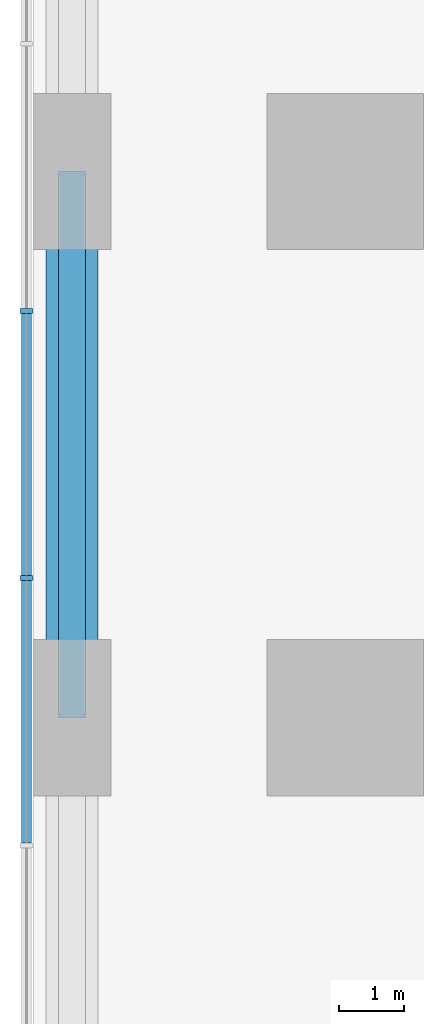
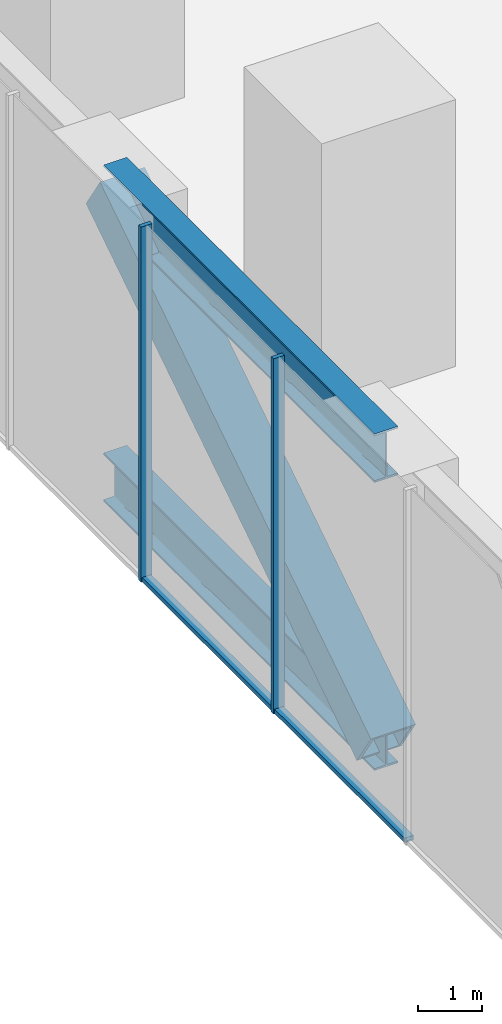
# One storey, part 3 of 11: 7 members, 1 element without a shape of its own.
"""IFC4 building model written with IfcOpenShell, lengths in metres."""

from ifc_helpers import new_model, si_unit, direction, frame, origin, origin_2d, place, context, subcontext, project, spatial, rectangle, hollow_rectangle, i_section, extrude, material, material_profile, profile_set, type_object, element, aggregate, save


model = new_model("IFC4")

# Units and contexts
model_context = context("Model", 3, precision=1e-05, world=origin(), true_north=direction((0.0, 1.0)))
body_context = subcontext(model_context, "Body", "Model", "MODEL_VIEW")
ifc_project = project(units=[si_unit("LENGTHUNIT", "METRE"), si_unit("AREAUNIT", "SQUARE_METRE"), si_unit("VOLUMEUNIT", "CUBIC_METRE"), si_unit("PLANEANGLEUNIT", "RADIAN"), si_unit("MASSUNIT", "GRAM", prefix="KILO")], contexts=[model_context])

# Site, building, storey
site_placement = place(None, origin())
site = spatial("IfcSite", under=ifc_project, at=site_placement, CompositionType="ELEMENT")
building_placement = place(site_placement, origin())
building = spatial("IfcBuilding", under=site, at=building_placement, Name="Dunama Terrace Hotel", CompositionType="ELEMENT")
storey_placement = place(building_placement, frame((0.0, 0.0, 88.199951171875)))
storey = spatial("IfcBuildingStorey", under=building, at=storey_placement, Name="L22", CompositionType="ELEMENT", Elevation=88.199951171875)

# Member
ifc_material_1 = material(Name="Steel S355", Category="steel")
ifc_material_profile_1 = material_profile(ifc_material_1, hollow_rectangle(XDim=0.800048828125, YDim=0.800048828125, WallThickness=0.06005859375, at=origin_2d()), Name="BOX 800x800x60")
ifc_profile_set_1 = profile_set([ifc_material_profile_1], Name="Steel S355")
member_type_1 = type_object("IfcMemberType", Name="Brace BOX 800x800x60", PredefinedType="BRACE", material=ifc_profile_set_1)
member_1_placement = place(storey_placement, frame((0.60009765625, 25.199951171875, -0.8603515625), z_axis=(0.0, 0.838906226141, 0.544275981229), x_axis=(-1.0, 0.0, 0.0)))
element("IfcMember", 1, at=member_1_placement, inside=storey, type_object=member_type_1, Name="Belt truss diagonal L22", PredefinedType="BRACE", context=body_context, shape_type="SweptSolid", body=[
    extrude(hollow_rectangle(XDim=0.800048828125, YDim=0.800048828125, WallThickness=0.06005859375, at=origin_2d()), origin(), (0.0, 0.0, 1.0), 10.01318359375),
])

# Curtain wall, members
ifc_material_2 = material(Name="Aluminium curtain wall system", Category="aluminium")
curtain_wall_type = type_object("IfcCurtainWallType", Name="Plant floor louvred glazing CW-G", PredefinedType="NOTDEFINED", material=ifc_material_2)
curtain_wall_placement = place(storey_placement, origin())
curtain_wall = element("IfcCurtainWall", 2, at=curtain_wall_placement, inside=storey, type_object=curtain_wall_type, Name="Plant floor louvred glazing CW-G L22", PredefinedType="NOTDEFINED")
ifc_material_3 = material(Name="Aluminium mullion", Category="aluminium")
ifc_material_profile_2 = material_profile(ifc_material_3, rectangle(XDim=0.074951171875, YDim=0.199951171875, at=origin_2d()), Name="CWG MULLION 75X200")
ifc_profile_set_2 = profile_set([ifc_material_profile_2], Name="Aluminium mullion")
member_type_2 = type_object("IfcMemberType", Name="CWG mullion 75x200", PredefinedType="MULLION", material=ifc_profile_set_2)
member_2_placement = place(storey_placement, frame((-0.10009765625, 31.4541015625, -1.321044921875), z_axis=(0.0, 0.0, 1.0), x_axis=(0.0, -1.0, 0.0)))
member_2 = element("IfcMember", 3, at=member_2_placement, type_object=member_type_2, Name="CWG mullion", PredefinedType="MULLION", context=body_context, shape_type="SweptSolid", body=[
    extrude(rectangle(XDim=0.074951171875, YDim=0.199951171875, at=origin_2d()), origin(), (0.0, 0.0, 1.0), 6.72119140625),
])
member_3_placement = place(storey_placement, frame((-0.10009765625, 27.345947265625, -1.321044921875), z_axis=(0.0, 0.0, 1.0), x_axis=(0.0, -1.0, 0.0)))
member_3 = element("IfcMember", 4, at=member_3_placement, type_object=member_type_2, Name="CWG mullion", PredefinedType="MULLION", context=body_context, shape_type="SweptSolid", body=[
    extrude(rectangle(XDim=0.074951171875, YDim=0.199951171875, at=origin_2d()), origin(), (0.0, 0.0, 1.0), 6.72119140625),
])
ifc_material_4 = material(Name="Aluminium transom", Category="aluminium")
ifc_material_profile_3 = material_profile(ifc_material_4, rectangle(XDim=0.159912109375, YDim=0.0849609375, at=origin_2d()), Name="CWG TRANSOM 160X85")
ifc_profile_set_3 = profile_set([ifc_material_profile_3], Name="Aluminium transom")
member_type_3 = type_object("IfcMemberType", Name="CWG transom 160x85", PredefinedType="USERDEFINED", material=ifc_profile_set_3)
member_4_placement = place(storey_placement, frame((-0.10009765625, 31.416015625, -1.278564453125), z_axis=(0.0, -1.0, 0.0), x_axis=(1.0, 0.0, 0.0)))
member_4 = element("IfcMember", 5, at=member_4_placement, type_object=member_type_3, Name="CWG transom", ObjectType="TRANSOM", PredefinedType="USERDEFINED", context=body_context, shape_type="SweptSolid", body=[
    extrude(rectangle(XDim=0.159912109375, YDim=0.0849609375, at=origin_2d()), origin(), (0.0, 0.0, 1.0), 4.031982421875),
])
member_5_placement = place(storey_placement, frame((-0.10009765625, 27.30908203125, -1.278564453125), z_axis=(0.0, -1.0, 0.0), x_axis=(1.0, 0.0, 0.0)))
member_5 = element("IfcMember", 6, at=member_5_placement, type_object=member_type_3, Name="CWG transom", ObjectType="TRANSOM", PredefinedType="USERDEFINED", context=body_context, shape_type="SweptSolid", body=[
    extrude(rectangle(XDim=0.159912109375, YDim=0.0849609375, at=origin_2d()), origin(), (0.0, 0.0, 1.0), 4.033203125),
])
aggregate(curtain_wall, [member_2, member_3, member_4, member_5])

# Members
ifc_material_5 = material(Name="Steel S355", Category="steel")
ifc_material_profile_4 = material_profile(ifc_material_5, i_section(OverallWidth=0.42041015625, OverallDepth=0.9208984375, WebThickness=0.021484375, FlangeThickness=0.03662109375, FilletRadius=0.024169921875, at=origin_2d()), Name="UB 914x419x388")
ifc_profile_set_4 = profile_set([ifc_material_profile_4], Name="Steel S355")
member_type_4 = type_object("IfcMemberType", Name="Truss member UB 914x419x388", PredefinedType="CHORD", material=ifc_profile_set_4)
for number, where, z_axis, x_axis, name in (
    (7, (0.60009765625, 25.199951171875, 4.589599609375), (0.0, 1.0, 0.0), (-1.0, 0.0, 0.0), "Belt truss top chord L22"),
    (8, (0.60009765625, 25.199951171875, -0.8603515625), (0.0, 1.0, 0.0), (-1.0, 0.0, 0.0), "Belt truss bottom chord L22"),
):
    element("IfcMember", number, at=place(storey_placement, frame(where, z_axis=z_axis, x_axis=x_axis)), inside=storey, type_object=member_type_4, Name=name, PredefinedType="CHORD", context=body_context, shape_type="SweptSolid", body=[
        extrude(i_section(OverallWidth=0.42041015625, OverallDepth=0.9208984375, WebThickness=0.021484375, FlangeThickness=0.03662109375, FilletRadius=0.024169921875, at=origin_2d()), origin(), (0.0, 0.0, 1.0), 8.400146484375),
    ])

save(model, "model.ifc")
